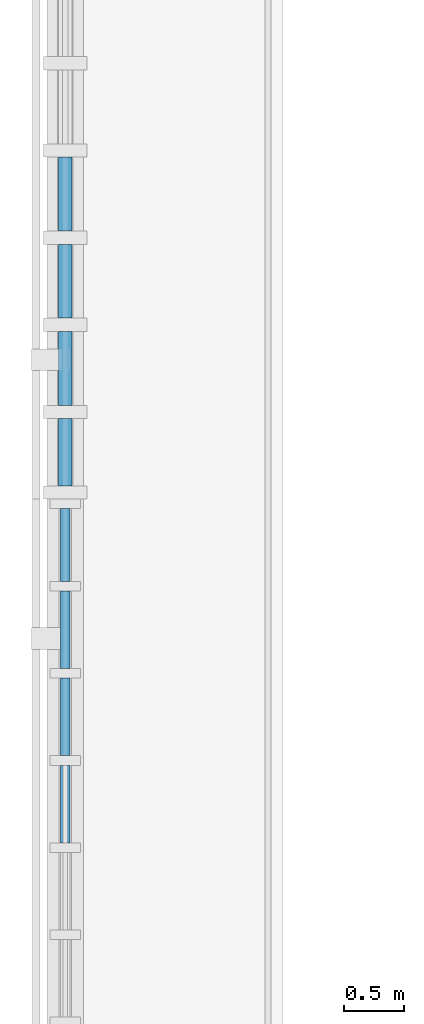
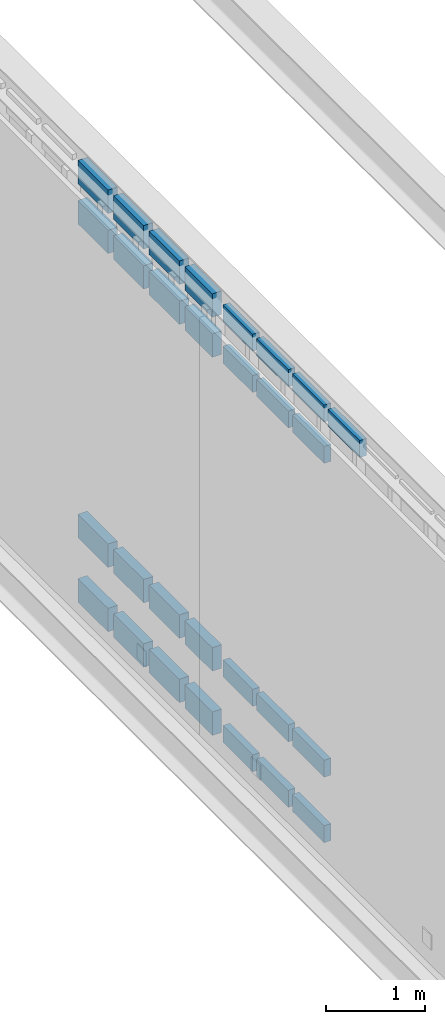
# One storey, part 48 of 135: 29 members, 2 elements without a shape of their own.
"""IFC4 building model written with IfcOpenShell, lengths in metres."""

import ifcopenshell
import ifcopenshell.guid

model = None  # the IFC model being written
_history = None  # IfcOwnerHistory: only IFC2X3 demands one
_inside = {}  # id of a spatial element -> (the spatial element, [elements in it])
_under = {}  # id of a project, library or spatial element -> (it, [spatial elements below it])
_declared = {}  # id of a project -> (the project, [libraries it declares])
_typed = {}  # id of a type object -> (the type object, [elements of that type])
_made_of = {}  # id of a material, layer set ... -> (it, [elements and type objects made of it])


def new_model(schema):
    """Start an empty IFC model of exactly this schema.

    Asked for "IFC4X3", IfcOpenShell would pick the latest addendum, in which some entities
    have other attributes; the version numbers below select the first issue.
    IFC2X3 requires an IfcOwnerHistory on every rooted entity: one is made here for all.
    """
    global model, _history
    if schema == "IFC4X3":
        model = ifcopenshell.file(schema_version=(4, 3, 0, 0))
    else:
        model = ifcopenshell.file(schema=schema)
    _inside.clear()
    _under.clear()
    _declared.clear()
    _typed.clear()
    _made_of.clear()
    _history = None
    if model.schema == "IFC2X3":
        org = make("IfcOrganization", Name="unknown")
        user = make(
            "IfcPersonAndOrganization",
            ThePerson=make("IfcPerson", FamilyName="unknown"),
            TheOrganization=org,
        )
        app = make(
            "IfcApplication",
            ApplicationDeveloper=org,
            Version="unknown",
            ApplicationFullName="unknown",
            ApplicationIdentifier="unknown",
        )
        _history = make(
            "IfcOwnerHistory",
            OwningUser=user,
            OwningApplication=app,
            ChangeAction="ADDED",
            CreationDate=0,
        )
    return model


def make(cls, **values):
    """One entity of the class cls with the attributes given. An attribute that is None is left unset."""
    return model.create_entity(
        cls, **{name: value for name, value in values.items() if value is not None}
    )


def rooted(cls, **values):
    """An entity with a GlobalId (a new one), such as an element, a storey or a relation."""
    return make(cls, GlobalId=ifcopenshell.guid.new(), OwnerHistory=_history, **values)


def si_unit(unit_type, name, prefix=None):
    """IfcSIUnit, for example si_unit("LENGTHUNIT", "METRE", prefix="MILLI")."""
    return make("IfcSIUnit", UnitType=unit_type, Prefix=prefix, Name=name)


def assignment(units):
    """IfcUnitAssignment: the units of a project."""
    return None if units is None else make("IfcUnitAssignment", Units=units)


def point(xyz):
    """IfcCartesianPoint."""
    return None if xyz is None else make("IfcCartesianPoint", Coordinates=xyz)


def direction(xyz):
    """IfcDirection."""
    return None if xyz is None else make("IfcDirection", DirectionRatios=xyz)


def frame(location, z_axis=None, x_axis=None):
    """IfcAxis2Placement3D, a coordinate frame: its origin and axes. An axis left out is left unset."""
    return make(
        "IfcAxis2Placement3D",
        Location=point(location),
        Axis=direction(z_axis),
        RefDirection=direction(x_axis),
    )


def frame_2d(location, x_axis=None):
    """IfcAxis2Placement2D, a coordinate frame in the plane: its origin and x axis."""
    return make(
        "IfcAxis2Placement2D", Location=point(location), RefDirection=direction(x_axis)
    )


def origin():
    """The frame at (0, 0, 0) with its axes left unset."""
    return frame((0.0, 0.0, 0.0))


def origin_2d():
    """The frame at (0, 0) in the plane with its x axis left unset."""
    return frame_2d((0.0, 0.0))


def place(relative_to, where):
    """IfcLocalPlacement: puts the frame where relative to a parent placement (None: the world)."""
    return make(
        "IfcLocalPlacement", PlacementRelTo=relative_to, RelativePlacement=where
    )


def context(
    kind, dimensions, precision=None, world=None, true_north=None, identifier=None
):
    """IfcGeometricRepresentationContext, for example the 3D "Model" context."""
    return make(
        "IfcGeometricRepresentationContext",
        ContextIdentifier=identifier,
        ContextType=kind,
        CoordinateSpaceDimension=dimensions,
        Precision=precision,
        WorldCoordinateSystem=world,
        TrueNorth=true_north,
    )


def subcontext(parent, identifier, kind, view, scale=None):
    """IfcGeometricRepresentationSubContext, for example "Body" below "Model"."""
    return make(
        "IfcGeometricRepresentationSubContext",
        ContextIdentifier=identifier,
        ContextType=kind,
        ParentContext=parent,
        TargetScale=scale,
        TargetView=view,
    )


def project(units=None, contexts=None):
    """IfcProject with its units and contexts."""
    return rooted(
        "IfcProject",
        Name="project",
        RepresentationContexts=contexts,
        UnitsInContext=assignment(units),
    )


def spatial(cls, under=None, at=None, **own):
    """A site, building, storey or space (cls), placed at a placement, below another one or the project."""
    s = rooted(cls, ObjectPlacement=at, **own)
    if under is not None:
        _under.setdefault(under.id(), (under, []))[1].append(s)
    return s


def profile(cls, at=None, kind="AREA", **sizes):
    """A parametric profile (cls). Its sizes go by their IFC names, for example OverallWidth=200.0."""
    return make(cls, ProfileType=kind, Position=at, **sizes)


def rectangle(**sizes):
    """IfcRectangleProfileDef."""
    return profile("IfcRectangleProfileDef", **sizes)


def extrude(swept, where, along, depth):
    """IfcExtrudedAreaSolid: the profile swept, set in the frame where, extruded along a direction by depth."""
    return make(
        "IfcExtrudedAreaSolid",
        SweptArea=swept,
        Position=where,
        ExtrudedDirection=direction(along),
        Depth=depth,
    )


def shape(context_of_items, identifier, shape_type, items):
    """IfcShapeRepresentation: the items that make up one representation, for example the "Body"."""
    return make(
        "IfcShapeRepresentation",
        ContextOfItems=context_of_items,
        RepresentationIdentifier=identifier,
        RepresentationType=shape_type,
        Items=items,
    )


def material(Name=None, Category=None):
    """IfcMaterial."""
    return make("IfcMaterial", Name=Name, Category=Category)


def material_profile(
    of_material, cross_section, Name=None, Category=None, Priority=None
):
    """IfcMaterialProfile: a cross section and its material."""
    return make(
        "IfcMaterialProfile",
        Name=Name,
        Material=of_material,
        Profile=cross_section,
        Priority=Priority,
        Category=Category,
    )


def profile_set(profiles, Name=None, composite=None):
    """IfcMaterialProfileSet."""
    return make(
        "IfcMaterialProfileSet",
        Name=Name,
        MaterialProfiles=profiles,
        CompositeProfile=composite,
    )


def made_of(thing, what):
    """Note that an element or type object is made of a material, layer set ...; save() writes the relation."""
    if what is not None:
        _made_of.setdefault(what.id(), (what, []))[1].append(thing)
    return thing


def type_object(cls, material=None, **own):
    """A type object (cls), such as IfcWallType, which elements share."""
    return made_of(rooted(cls, **own), material)


def element(
    cls,
    number,
    at=None,
    inside=None,
    cuts=None,
    type_object=None,
    material=None,
    context=None,
    identifier="Body",
    shape_type=None,
    held_by="IfcProductDefinitionShape",
    body=None,
    shapes=None,
    **own,
):
    """One element of the class cls, such as IfcWall. Its Tag is "e" and its number.

    at: its placement. inside: the storey or other place that contains it. cuts: it is an
    opening in that element (IfcRelVoidsElement). A single representation is given by context,
    identifier, shape_type and body (its items); several are given by shapes. held_by: the class
    of the entity that holds the representations. save() writes the other relations.
    """
    e = rooted(cls, Tag="e%d" % number, ObjectPlacement=at, **own)
    if body is not None:
        shapes = [shape(context, identifier, shape_type, body)]
    if shapes is not None:
        e.Representation = make(held_by, Representations=shapes)
    if inside is not None:
        _inside.setdefault(inside.id(), (inside, []))[1].append(e)
    if cuts is not None:
        rooted(
            "IfcRelVoidsElement", RelatingBuildingElement=cuts, RelatedOpeningElement=e
        )
    if type_object is not None:
        _typed.setdefault(type_object.id(), (type_object, []))[1].append(e)
    return made_of(e, material)


def aggregate(whole, parts):
    """IfcRelAggregates: a whole, such as a stair, and the parts it consists of."""
    return rooted("IfcRelAggregates", RelatingObject=whole, RelatedObjects=parts)


def save(model, path):
    """Write the relations noted so far, then the file.

    IfcRelAggregates (storeys below a building ...), IfcRelContainedInSpatialStructure (elements
    in a storey), IfcRelDefinesByType, IfcRelAssociatesMaterial and IfcRelDeclares: one each for
    every whole, place, type object, material and project.
    """
    for whole, parts in _under.values():
        aggregate(whole, parts)
    for where, things in _inside.values():
        rooted(
            "IfcRelContainedInSpatialStructure",
            RelatedElements=things,
            RelatingStructure=where,
        )
    for kind, things in _typed.values():
        rooted("IfcRelDefinesByType", RelatedObjects=things, RelatingType=kind)
    for what, things in _made_of.values():
        rooted("IfcRelAssociatesMaterial", RelatedObjects=things, RelatingMaterial=what)
    for by, libraries in _declared.values():
        rooted("IfcRelDeclares", RelatingContext=by, RelatedDefinitions=libraries)
    model.write(path)


model = new_model("IFC4")

# Units and contexts
model_context = context("Model", 3, precision=1e-05, world=origin(), true_north=direction((0.0, 1.0)))
body_context = subcontext(model_context, "Body", "Model", "MODEL_VIEW")
ifc_project = project(units=[si_unit("LENGTHUNIT", "METRE"), si_unit("AREAUNIT", "SQUARE_METRE"), si_unit("VOLUMEUNIT", "CUBIC_METRE"), si_unit("PLANEANGLEUNIT", "RADIAN"), si_unit("MASSUNIT", "GRAM", prefix="KILO")], contexts=[model_context])

# Site, building, storey
site_placement = place(None, origin())
site = spatial("IfcSite", under=ifc_project, at=site_placement, CompositionType="ELEMENT")
building_placement = place(site_placement, origin())
building = spatial("IfcBuilding", under=site, at=building_placement, Name="Larkvane Passage Sports Hall", CompositionType="ELEMENT")
storey_placement = place(building_placement, frame((0.0, 0.0, 10.800048828125)))
storey = spatial("IfcBuildingStorey", under=building, at=storey_placement, Name="L02", CompositionType="ELEMENT", Elevation=10.800048828125)

# Curtain wall, members
ifc_material_1 = material(Name="Thermally broken aluminium and low-E glazing", Category="aluminium")
curtain_wall_type_1 = type_object("IfcCurtainWallType", Name="CW-CLINIC", PredefinedType="USERDEFINED", material=ifc_material_1)
curtain_wall_1_placement = place(storey_placement, origin())
curtain_wall_1 = element("IfcCurtainWall", 1, at=curtain_wall_1_placement, inside=storey, type_object=curtain_wall_type_1, Name="Curtain wall CW5-L02-095", ObjectType="UNITISED CURTAIN WALL", PredefinedType="USERDEFINED")
ifc_material_2 = material(Name="Anodised aluminium 6063-T6", Category="aluminium")
ifc_material_profile_1 = material_profile(ifc_material_2, rectangle(XDim=0.110107421875, YDim=0.2900390625, at=origin_2d()), Name="ALU-TRN-110x290")
ifc_profile_set_1 = profile_set([ifc_material_profile_1], Name="Anodised aluminium 6063-T6")
member_type_1 = type_object("IfcMemberType", Name="CW-TRN-110x290", PredefinedType="USERDEFINED", material=ifc_profile_set_1)
member_1_placement = place(storey_placement, frame((13.800048828125, 68.598876953125, 0.054931640625), z_axis=(0.0, 1.0, 0.0), x_axis=(-1.0, 0.0, 0.0)))
member_1 = element("IfcMember", 2, at=member_1_placement, type_object=member_type_1, Name="CW-05 transom 1.1", ObjectType="TRANSOM", PredefinedType="USERDEFINED", context=body_context, shape_type="SweptSolid", body=[
    extrude(rectangle(XDim=0.110107421875, YDim=0.2900390625, at=origin_2d()), origin(), (0.0, 0.0, 1.0), 0.55712890625),
])
member_2_placement = place(storey_placement, frame((13.800048828125, 68.598876953125, 0.849853515625), z_axis=(0.0, 1.0, 0.0), x_axis=(-1.0, 0.0, 0.0)))
member_2 = element("IfcMember", 3, at=member_2_placement, type_object=member_type_1, Name="CW-05 transom 1.2", ObjectType="TRANSOM", PredefinedType="USERDEFINED", context=body_context, shape_type="SweptSolid", body=[
    extrude(rectangle(XDim=0.110107421875, YDim=0.2900390625, at=origin_2d()), origin(), (0.0, 0.0, 1.0), 0.55712890625),
])
member_3_placement = place(storey_placement, frame((13.800048828125, 68.598876953125, 4.72802734375), z_axis=(0.0, 1.0, 0.0), x_axis=(-1.0, 0.0, 0.0)))
member_3 = element("IfcMember", 4, at=member_3_placement, type_object=member_type_1, Name="CW-05 transom 1.3", ObjectType="TRANSOM", PredefinedType="USERDEFINED", context=body_context, shape_type="SweptSolid", body=[
    extrude(rectangle(XDim=0.110107421875, YDim=0.2900390625, at=origin_2d()), origin(), (0.0, 0.0, 1.0), 0.55712890625),
])
member_4_placement = place(storey_placement, frame((13.800048828125, 68.598876953125, 5.222900390625), z_axis=(0.0, 1.0, 0.0), x_axis=(-1.0, 0.0, 0.0)))
member_4 = element("IfcMember", 5, at=member_4_placement, type_object=member_type_1, Name="CW-05 transom 1.4", ObjectType="TRANSOM", PredefinedType="USERDEFINED", context=body_context, shape_type="SweptSolid", body=[
    extrude(rectangle(XDim=0.110107421875, YDim=0.2900390625, at=origin_2d()), origin(), (0.0, 0.0, 1.0), 0.55712890625),
])
member_5_placement = place(storey_placement, frame((13.800048828125, 69.26611328125, 0.054931640625), z_axis=(0.0, 1.0, 0.0), x_axis=(-1.0, 0.0, 0.0)))
member_5 = element("IfcMember", 6, at=member_5_placement, type_object=member_type_1, Name="CW-05 transom 2.1", ObjectType="TRANSOM", PredefinedType="USERDEFINED", context=body_context, shape_type="SweptSolid", body=[
    extrude(rectangle(XDim=0.110107421875, YDim=0.2900390625, at=origin_2d()), origin(), (0.0, 0.0, 1.0), 0.6123046875),
])
member_6_placement = place(storey_placement, frame((13.800048828125, 69.26611328125, 0.849853515625), z_axis=(0.0, 1.0, 0.0), x_axis=(-1.0, 0.0, 0.0)))
member_6 = element("IfcMember", 7, at=member_6_placement, type_object=member_type_1, Name="CW-05 transom 2.2", ObjectType="TRANSOM", PredefinedType="USERDEFINED", context=body_context, shape_type="SweptSolid", body=[
    extrude(rectangle(XDim=0.110107421875, YDim=0.2900390625, at=origin_2d()), origin(), (0.0, 0.0, 1.0), 0.6123046875),
])
member_7_placement = place(storey_placement, frame((13.800048828125, 69.26611328125, 4.72802734375), z_axis=(0.0, 1.0, 0.0), x_axis=(-1.0, 0.0, 0.0)))
member_7 = element("IfcMember", 8, at=member_7_placement, type_object=member_type_1, Name="CW-05 transom 2.3", ObjectType="TRANSOM", PredefinedType="USERDEFINED", context=body_context, shape_type="SweptSolid", body=[
    extrude(rectangle(XDim=0.110107421875, YDim=0.2900390625, at=origin_2d()), origin(), (0.0, 0.0, 1.0), 0.6123046875),
])
member_8_placement = place(storey_placement, frame((13.800048828125, 69.26611328125, 5.222900390625), z_axis=(0.0, 1.0, 0.0), x_axis=(-1.0, 0.0, 0.0)))
member_8 = element("IfcMember", 9, at=member_8_placement, type_object=member_type_1, Name="CW-05 transom 2.4", ObjectType="TRANSOM", PredefinedType="USERDEFINED", context=body_context, shape_type="SweptSolid", body=[
    extrude(rectangle(XDim=0.110107421875, YDim=0.2900390625, at=origin_2d()), origin(), (0.0, 0.0, 1.0), 0.6123046875),
])
member_9_placement = place(storey_placement, frame((13.800048828125, 69.98828125, 0.054931640625), z_axis=(0.0, 1.0, 0.0), x_axis=(-1.0, 0.0, 0.0)))
member_9 = element("IfcMember", 10, at=member_9_placement, type_object=member_type_1, Name="CW-05 transom 3.1", ObjectType="TRANSOM", PredefinedType="USERDEFINED", context=body_context, shape_type="SweptSolid", body=[
    extrude(rectangle(XDim=0.110107421875, YDim=0.2900390625, at=origin_2d()), origin(), (0.0, 0.0, 1.0), 0.6123046875),
])
member_10_placement = place(storey_placement, frame((13.800048828125, 69.98828125, 0.849853515625), z_axis=(0.0, 1.0, 0.0), x_axis=(-1.0, 0.0, 0.0)))
member_10 = element("IfcMember", 11, at=member_10_placement, type_object=member_type_1, Name="CW-05 transom 3.2", ObjectType="TRANSOM", PredefinedType="USERDEFINED", context=body_context, shape_type="SweptSolid", body=[
    extrude(rectangle(XDim=0.110107421875, YDim=0.2900390625, at=origin_2d()), origin(), (0.0, 0.0, 1.0), 0.6123046875),
])
member_11_placement = place(storey_placement, frame((13.800048828125, 69.98828125, 4.72802734375), z_axis=(0.0, 1.0, 0.0), x_axis=(-1.0, 0.0, 0.0)))
member_11 = element("IfcMember", 12, at=member_11_placement, type_object=member_type_1, Name="CW-05 transom 3.3", ObjectType="TRANSOM", PredefinedType="USERDEFINED", context=body_context, shape_type="SweptSolid", body=[
    extrude(rectangle(XDim=0.110107421875, YDim=0.2900390625, at=origin_2d()), origin(), (0.0, 0.0, 1.0), 0.6123046875),
])
member_12_placement = place(storey_placement, frame((13.800048828125, 69.98828125, 5.222900390625), z_axis=(0.0, 1.0, 0.0), x_axis=(-1.0, 0.0, 0.0)))
member_12 = element("IfcMember", 13, at=member_12_placement, type_object=member_type_1, Name="CW-05 transom 3.4", ObjectType="TRANSOM", PredefinedType="USERDEFINED", context=body_context, shape_type="SweptSolid", body=[
    extrude(rectangle(XDim=0.110107421875, YDim=0.2900390625, at=origin_2d()), origin(), (0.0, 0.0, 1.0), 0.6123046875),
])
member_13_placement = place(storey_placement, frame((13.800048828125, 70.710693359375, 0.054931640625), z_axis=(0.0, 1.0, 0.0), x_axis=(-1.0, 0.0, 0.0)))
member_13 = element("IfcMember", 14, at=member_13_placement, type_object=member_type_1, Name="CW-05 transom 4.1", ObjectType="TRANSOM", PredefinedType="USERDEFINED", context=body_context, shape_type="SweptSolid", body=[
    extrude(rectangle(XDim=0.110107421875, YDim=0.2900390625, at=origin_2d()), origin(), (0.0, 0.0, 1.0), 0.612060546875),
])
member_14_placement = place(storey_placement, frame((13.800048828125, 70.710693359375, 0.849853515625), z_axis=(0.0, 1.0, 0.0), x_axis=(-1.0, 0.0, 0.0)))
member_14 = element("IfcMember", 15, at=member_14_placement, type_object=member_type_1, Name="CW-05 transom 4.2", ObjectType="TRANSOM", PredefinedType="USERDEFINED", context=body_context, shape_type="SweptSolid", body=[
    extrude(rectangle(XDim=0.110107421875, YDim=0.2900390625, at=origin_2d()), origin(), (0.0, 0.0, 1.0), 0.612060546875),
])
member_15_placement = place(storey_placement, frame((13.800048828125, 70.710693359375, 4.72802734375), z_axis=(0.0, 1.0, 0.0), x_axis=(-1.0, 0.0, 0.0)))
member_15 = element("IfcMember", 16, at=member_15_placement, type_object=member_type_1, Name="CW-05 transom 4.3", ObjectType="TRANSOM", PredefinedType="USERDEFINED", context=body_context, shape_type="SweptSolid", body=[
    extrude(rectangle(XDim=0.110107421875, YDim=0.2900390625, at=origin_2d()), origin(), (0.0, 0.0, 1.0), 0.612060546875),
])
member_16_placement = place(storey_placement, frame((13.800048828125, 70.710693359375, 5.222900390625), z_axis=(0.0, 1.0, 0.0), x_axis=(-1.0, 0.0, 0.0)))
member_16 = element("IfcMember", 17, at=member_16_placement, type_object=member_type_1, Name="CW-05 transom 4.4", ObjectType="TRANSOM", PredefinedType="USERDEFINED", context=body_context, shape_type="SweptSolid", body=[
    extrude(rectangle(XDim=0.110107421875, YDim=0.2900390625, at=origin_2d()), origin(), (0.0, 0.0, 1.0), 0.612060546875),
])
aggregate(curtain_wall_1, [member_1, member_2, member_3, member_4, member_5, member_6, member_7, member_8, member_9, member_10, member_11, member_12, member_13, member_14, member_15, member_16])

curtain_wall_type_2 = type_object("IfcCurtainWallType", Name="CW-STICK-FOYER", PredefinedType="USERDEFINED", material=ifc_material_1)
curtain_wall_2_placement = place(storey_placement, origin())
curtain_wall_2 = element("IfcCurtainWall", 18, at=curtain_wall_2_placement, inside=storey, type_object=curtain_wall_type_2, Name="Curtain wall CW5-L02-094", ObjectType="STICK CURTAIN WALL", PredefinedType="USERDEFINED")
ifc_material_profile_2 = material_profile(ifc_material_2, rectangle(XDim=0.080078125, YDim=0.2099609375, at=origin_2d()), Name="ALU-TRN-80x210")
ifc_profile_set_2 = profile_set([ifc_material_profile_2], Name="Anodised aluminium 6063-T6")
member_type_2 = type_object("IfcMemberType", Name="CW-TRN-80x210", PredefinedType="USERDEFINED", material=ifc_profile_set_2)
member_17_placement = place(storey_placement, frame((13.800048828125, 65.639892578125, 5.238037109375), z_axis=(0.0, 1.0, 0.0), x_axis=(-1.0, 0.0, 0.0)))
member_17 = element("IfcMember", 19, at=member_17_placement, type_object=member_type_2, Name="CW-03 transom 5.4", ObjectType="TRANSOM", PredefinedType="USERDEFINED", context=body_context, shape_type="SweptSolid", body=[
    extrude(rectangle(XDim=0.080078125, YDim=0.2099609375, at=origin_2d()), origin(), (0.0, 0.0, 1.0), 0.642333984375),
])
member_18_placement = place(storey_placement, frame((13.800048828125, 66.3623046875, 0.0400390625), z_axis=(0.0, 1.0, 0.0), x_axis=(-1.0, 0.0, 0.0)))
member_18 = element("IfcMember", 20, at=member_18_placement, type_object=member_type_2, Name="CW-03 transom 6.1", ObjectType="TRANSOM", PredefinedType="USERDEFINED", context=body_context, shape_type="SweptSolid", body=[
    extrude(rectangle(XDim=0.080078125, YDim=0.2099609375, at=origin_2d()), origin(), (0.0, 0.0, 1.0), 0.64208984375),
])
member_19_placement = place(storey_placement, frame((13.800048828125, 66.3623046875, 0.849853515625), z_axis=(0.0, 1.0, 0.0), x_axis=(-1.0, 0.0, 0.0)))
member_19 = element("IfcMember", 21, at=member_19_placement, type_object=member_type_2, Name="CW-03 transom 6.2", ObjectType="TRANSOM", PredefinedType="USERDEFINED", context=body_context, shape_type="SweptSolid", body=[
    extrude(rectangle(XDim=0.080078125, YDim=0.2099609375, at=origin_2d()), origin(), (0.0, 0.0, 1.0), 0.64208984375),
])
member_20_placement = place(storey_placement, frame((13.800048828125, 66.3623046875, 4.72802734375), z_axis=(0.0, 1.0, 0.0), x_axis=(-1.0, 0.0, 0.0)))
member_20 = element("IfcMember", 22, at=member_20_placement, type_object=member_type_2, Name="CW-03 transom 6.3", ObjectType="TRANSOM", PredefinedType="USERDEFINED", context=body_context, shape_type="SweptSolid", body=[
    extrude(rectangle(XDim=0.080078125, YDim=0.2099609375, at=origin_2d()), origin(), (0.0, 0.0, 1.0), 0.64208984375),
])
member_21_placement = place(storey_placement, frame((13.800048828125, 66.3623046875, 5.238037109375), z_axis=(0.0, 1.0, 0.0), x_axis=(-1.0, 0.0, 0.0)))
member_21 = element("IfcMember", 23, at=member_21_placement, type_object=member_type_2, Name="CW-03 transom 6.4", ObjectType="TRANSOM", PredefinedType="USERDEFINED", context=body_context, shape_type="SweptSolid", body=[
    extrude(rectangle(XDim=0.080078125, YDim=0.2099609375, at=origin_2d()), origin(), (0.0, 0.0, 1.0), 0.64208984375),
])
member_22_placement = place(storey_placement, frame((13.800048828125, 67.08447265625, 0.0400390625), z_axis=(0.0, 1.0, 0.0), x_axis=(-1.0, 0.0, 0.0)))
member_22 = element("IfcMember", 24, at=member_22_placement, type_object=member_type_2, Name="CW-03 transom 7.1", ObjectType="TRANSOM", PredefinedType="USERDEFINED", context=body_context, shape_type="SweptSolid", body=[
    extrude(rectangle(XDim=0.080078125, YDim=0.2099609375, at=origin_2d()), origin(), (0.0, 0.0, 1.0), 0.64208984375),
])
member_23_placement = place(storey_placement, frame((13.800048828125, 67.08447265625, 0.849853515625), z_axis=(0.0, 1.0, 0.0), x_axis=(-1.0, 0.0, 0.0)))
member_23 = element("IfcMember", 25, at=member_23_placement, type_object=member_type_2, Name="CW-03 transom 7.2", ObjectType="TRANSOM", PredefinedType="USERDEFINED", context=body_context, shape_type="SweptSolid", body=[
    extrude(rectangle(XDim=0.080078125, YDim=0.2099609375, at=origin_2d()), origin(), (0.0, 0.0, 1.0), 0.64208984375),
])
member_24_placement = place(storey_placement, frame((13.800048828125, 67.08447265625, 4.72802734375), z_axis=(0.0, 1.0, 0.0), x_axis=(-1.0, 0.0, 0.0)))
member_24 = element("IfcMember", 26, at=member_24_placement, type_object=member_type_2, Name="CW-03 transom 7.3", ObjectType="TRANSOM", PredefinedType="USERDEFINED", context=body_context, shape_type="SweptSolid", body=[
    extrude(rectangle(XDim=0.080078125, YDim=0.2099609375, at=origin_2d()), origin(), (0.0, 0.0, 1.0), 0.64208984375),
])
member_25_placement = place(storey_placement, frame((13.800048828125, 67.08447265625, 5.238037109375), z_axis=(0.0, 1.0, 0.0), x_axis=(-1.0, 0.0, 0.0)))
member_25 = element("IfcMember", 27, at=member_25_placement, type_object=member_type_2, Name="CW-03 transom 7.4", ObjectType="TRANSOM", PredefinedType="USERDEFINED", context=body_context, shape_type="SweptSolid", body=[
    extrude(rectangle(XDim=0.080078125, YDim=0.2099609375, at=origin_2d()), origin(), (0.0, 0.0, 1.0), 0.64208984375),
])
member_26_placement = place(storey_placement, frame((13.800048828125, 67.806640625, 0.0400390625), z_axis=(0.0, 1.0, 0.0), x_axis=(-1.0, 0.0, 0.0)))
member_26 = element("IfcMember", 28, at=member_26_placement, type_object=member_type_2, Name="CW-03 transom 8.1", ObjectType="TRANSOM", PredefinedType="USERDEFINED", context=body_context, shape_type="SweptSolid", body=[
    extrude(rectangle(XDim=0.080078125, YDim=0.2099609375, at=origin_2d()), origin(), (0.0, 0.0, 1.0), 0.602294921875),
])
member_27_placement = place(storey_placement, frame((13.800048828125, 67.806640625, 0.849853515625), z_axis=(0.0, 1.0, 0.0), x_axis=(-1.0, 0.0, 0.0)))
member_27 = element("IfcMember", 29, at=member_27_placement, type_object=member_type_2, Name="CW-03 transom 8.2", ObjectType="TRANSOM", PredefinedType="USERDEFINED", context=body_context, shape_type="SweptSolid", body=[
    extrude(rectangle(XDim=0.080078125, YDim=0.2099609375, at=origin_2d()), origin(), (0.0, 0.0, 1.0), 0.602294921875),
])
member_28_placement = place(storey_placement, frame((13.800048828125, 67.806640625, 4.72802734375), z_axis=(0.0, 1.0, 0.0), x_axis=(-1.0, 0.0, 0.0)))
member_28 = element("IfcMember", 30, at=member_28_placement, type_object=member_type_2, Name="CW-03 transom 8.3", ObjectType="TRANSOM", PredefinedType="USERDEFINED", context=body_context, shape_type="SweptSolid", body=[
    extrude(rectangle(XDim=0.080078125, YDim=0.2099609375, at=origin_2d()), origin(), (0.0, 0.0, 1.0), 0.602294921875),
])
member_29_placement = place(storey_placement, frame((13.800048828125, 67.806640625, 5.238037109375), z_axis=(0.0, 1.0, 0.0), x_axis=(-1.0, 0.0, 0.0)))
member_29 = element("IfcMember", 31, at=member_29_placement, type_object=member_type_2, Name="CW-03 transom 8.4", ObjectType="TRANSOM", PredefinedType="USERDEFINED", context=body_context, shape_type="SweptSolid", body=[
    extrude(rectangle(XDim=0.080078125, YDim=0.2099609375, at=origin_2d()), origin(), (0.0, 0.0, 1.0), 0.602294921875),
])
aggregate(curtain_wall_2, [member_17, member_18, member_19, member_20, member_21, member_22, member_23, member_24, member_25, member_26, member_27, member_28, member_29])

save(model, "model.ifc")
